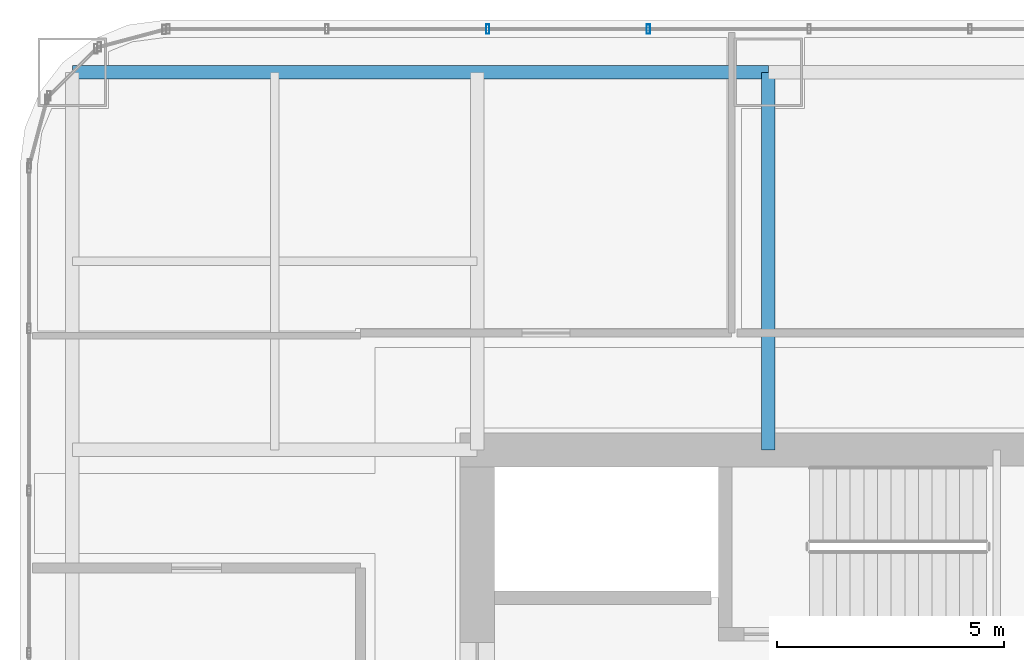
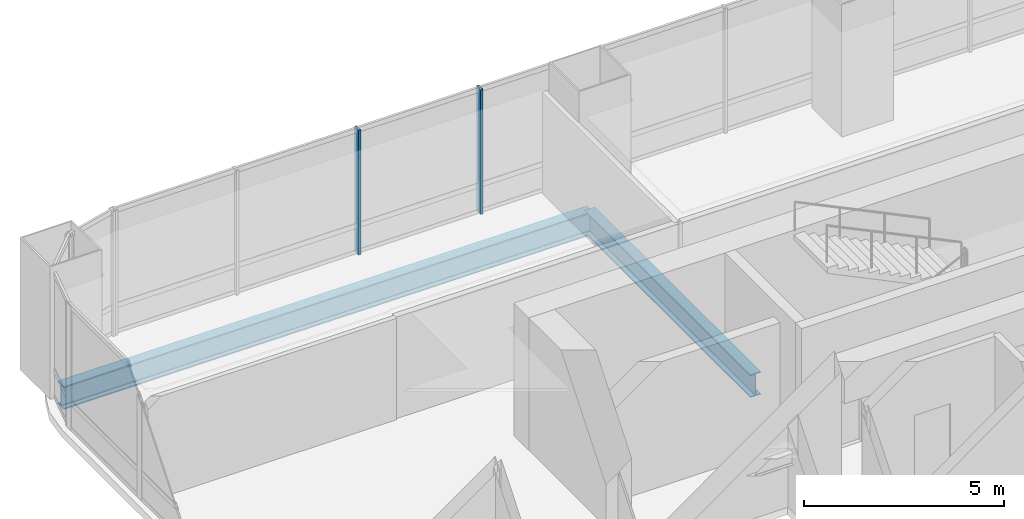
# One storey, part 19 of 34: 2 beams, 2 members, 1 element without a shape of its own.
"""IFC4 building model written with IfcOpenShell, lengths in metres."""

from ifc_helpers import new_model, si_unit, direction, frame, origin, origin_2d, place, context, subcontext, project, spatial, hollow_rectangle, i_section, extrude, material, material_profile, profile_set, type_object, element, aggregate, save


model = new_model("IFC4")

# Units and contexts
model_context = context("Model", 3, precision=1e-05, world=origin(), true_north=direction((0.0, 1.0)))
body_context = subcontext(model_context, "Body", "Model", "MODEL_VIEW")
ifc_project = project(units=[si_unit("LENGTHUNIT", "METRE"), si_unit("AREAUNIT", "SQUARE_METRE"), si_unit("VOLUMEUNIT", "CUBIC_METRE"), si_unit("PLANEANGLEUNIT", "RADIAN"), si_unit("MASSUNIT", "GRAM", prefix="KILO")], contexts=[model_context])

# Site, building, storey
site_placement = place(None, origin())
site = spatial("IfcSite", under=ifc_project, at=site_placement, CompositionType="ELEMENT")
building_placement = place(site_placement, origin())
building = spatial("IfcBuilding", under=site, at=building_placement, Name="Punatoya Terracotta Tower", CompositionType="ELEMENT")
storey_placement = place(building_placement, frame((0.0, 0.0, 84.89990234375)))
storey = spatial("IfcBuildingStorey", under=building, at=storey_placement, Name="L19", CompositionType="ELEMENT", Elevation=84.89990234375)

# Beams
ifc_material_1 = material(Name="Steel S355", Category="steel")
ifc_material_profile_1 = material_profile(ifc_material_1, i_section(OverallWidth=0.300048828125, OverallDepth=0.699951171875, WebThickness=0.01708984375, FlangeThickness=0.031982421875, FilletRadius=0.01806640625, at=origin_2d()))
ifc_profile_set_1 = profile_set([ifc_material_profile_1], Name="Steel S355")
beam_type = type_object("IfcBeamType", Name="BM-PRI-700", PredefinedType="BEAM", material=ifc_profile_set_1)
beam_1_placement = place(storey_placement, frame((-19.10009765625, 17.5, -0.58984375), z_axis=(1.0, 0.0, 0.0), x_axis=(0.0, 1.0, 0.0)))
element("IfcBeam", 1, at=beam_1_placement, inside=storey, type_object=beam_type, Name="BM-L19-RG-N1", PredefinedType="BEAM", context=body_context, shape_type="SweptSolid", body=[
    extrude(i_section(OverallWidth=0.300048828125, OverallDepth=0.699951171875, WebThickness=0.01708984375, FlangeThickness=0.031982421875, FilletRadius=0.01806640625, at=origin_2d()), origin(), (0.0, 0.0, 1.0), 15.300048828125),
])
beam_2_placement = place(storey_placement, frame((-3.800048828125, 9.199951171875, -0.58984375), z_axis=(0.0, 1.0, 0.0), x_axis=(-1.0, 0.0, 0.0)))
element("IfcBeam", 2, at=beam_2_placement, inside=storey, type_object=beam_type, Name="BM-L19-PR-N2", PredefinedType="BEAM", context=body_context, shape_type="SweptSolid", body=[
    extrude(i_section(OverallWidth=0.300048828125, OverallDepth=0.699951171875, WebThickness=0.01708984375, FlangeThickness=0.031982421875, FilletRadius=0.01806640625, at=origin_2d()), origin(), (0.0, 0.0, 1.0), 8.300048828125),
])

# Curtain wall, members
ifc_material_2 = material(Name="Aluminium 6063-T6 + Double Low-E Glass", Category="aluminium")
curtain_wall_type = type_object("IfcCurtainWallType", Name="CW-M1", PredefinedType="NOTDEFINED", material=ifc_material_2)
curtain_wall_placement = place(storey_placement, origin())
curtain_wall = element("IfcCurtainWall", 3, at=curtain_wall_placement, inside=storey, type_object=curtain_wall_type, Name="L19 Curtain Wall CW-L19-N09-1", PredefinedType="NOTDEFINED")
ifc_material_3 = material(Name="Aluminium 6063-T6", Category="aluminium")
ifc_material_profile_2 = material_profile(ifc_material_3, hollow_rectangle(XDim=0.074951171875, YDim=0.2099609375, WallThickness=0.00439453125, at=origin_2d()))
ifc_profile_set_2 = profile_set([ifc_material_profile_2], Name="Aluminium 6063-T6")
member_type = type_object("IfcMemberType", Name="CW-MUL-M1", PredefinedType="MULLION", material=ifc_profile_set_2)
member_1_placement = place(storey_placement, frame((-6.43505859375, 18.449951171875, 0.0), z_axis=(0.0, 0.0, 1.0), x_axis=(1.0, 0.0, 0.0)))
member_1 = element("IfcMember", 4, at=member_1_placement, type_object=member_type, Name="CW-L19-N09-1 Mullion 08", PredefinedType="MULLION", context=body_context, shape_type="SweptSolid", body=[
    extrude(hollow_rectangle(XDim=0.074951171875, YDim=0.2099609375, WallThickness=0.00439453125, at=origin_2d()), origin(), (0.0, 0.0, 1.0), 3.81005859375),
])
member_2_placement = place(storey_placement, frame((-9.968994140625, 18.449951171875, 0.0), z_axis=(0.0, 0.0, 1.0), x_axis=(1.0, 0.0, 0.0)))
member_2 = element("IfcMember", 5, at=member_2_placement, type_object=member_type, Name="CW-L19-N09-1 Mullion 09", PredefinedType="MULLION", context=body_context, shape_type="SweptSolid", body=[
    extrude(hollow_rectangle(XDim=0.074951171875, YDim=0.2099609375, WallThickness=0.00439453125, at=origin_2d()), origin(), (0.0, 0.0, 1.0), 3.81005859375),
])
aggregate(curtain_wall, [member_1, member_2])

save(model, "model.ifc")
